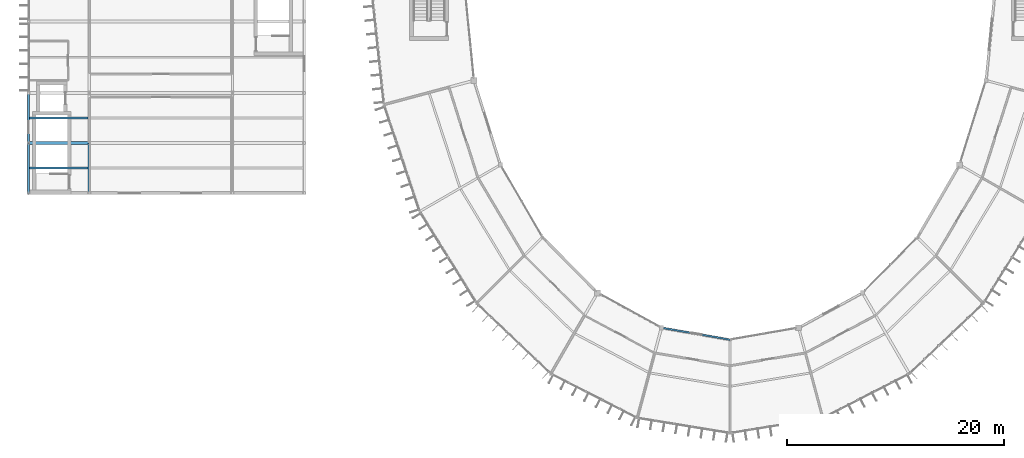
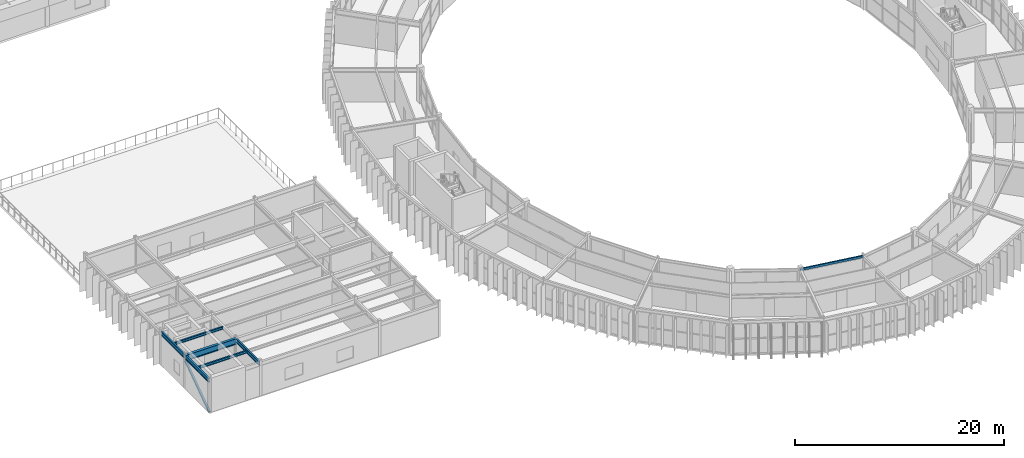
# One storey, part 28 of 130: 7 beams, 1 member.
"""IFC4 building model written with IfcOpenShell, lengths in metres."""

from ifc_helpers import new_model, si_unit, direction, frame, origin, origin_2d, place, context, subcontext, project, spatial, hollow_rectangle, i_section, extrude, material, material_profile, profile_set, type_object, element, save


model = new_model("IFC4")

# Units and contexts
model_context = context("Model", 3, precision=1e-05, world=origin(), true_north=direction((0.0, 1.0)))
body_context = subcontext(model_context, "Body", "Model", "MODEL_VIEW")
ifc_project = project(units=[si_unit("LENGTHUNIT", "METRE"), si_unit("AREAUNIT", "SQUARE_METRE"), si_unit("VOLUMEUNIT", "CUBIC_METRE"), si_unit("PLANEANGLEUNIT", "RADIAN"), si_unit("MASSUNIT", "GRAM", prefix="KILO")], contexts=[model_context])

# Site, building, storey
site_placement = place(None, origin())
site = spatial("IfcSite", under=ifc_project, at=site_placement, CompositionType="ELEMENT")
building_placement = place(site_placement, origin())
building = spatial("IfcBuilding", under=site, at=building_placement, Name="Karori Crest Natural Sciences Institute", CompositionType="ELEMENT")
storey_placement = place(building_placement, frame((0.0, 0.0, 17.5)))
storey = spatial("IfcBuildingStorey", under=building, at=storey_placement, Name="L04", CompositionType="ELEMENT", Elevation=17.5)

# Beams
ifc_material_1 = material(Name="Structural steel AS/NZS 3679.1 Grade 350", Category="steel")
ifc_material_profile_1 = material_profile(ifc_material_1, i_section(OverallWidth=0.27490234375, OverallDepth=0.699951171875, WebThickness=0.010009765625, FlangeThickness=0.02001953125, FilletRadius=0.013916015625, at=origin_2d()), Name="700WB150")
ifc_profile_set_1 = profile_set([ifc_material_profile_1], Name="Structural steel AS/NZS 3679.1 Grade 350")
beam_type_1 = type_object("IfcBeamType", Name="BT-03", PredefinedType="BEAM", material=ifc_profile_set_1)
beam_1_placement = place(storey_placement, frame((1.800048828125, 35.800048828125, 3.570068359375), z_axis=(1.0, 0.0, 0.0), x_axis=(0.0, 1.0, 0.0)))
element("IfcBeam", 1, at=beam_1_placement, inside=storey, type_object=beam_type_1, Name="Beam B-1210", PredefinedType="BEAM", context=body_context, shape_type="SweptSolid", body=[
    extrude(i_section(OverallWidth=0.27490234375, OverallDepth=0.699951171875, WebThickness=0.010009765625, FlangeThickness=0.02001953125, FilletRadius=0.013916015625, at=origin_2d()), origin(), (0.0, 0.0, 1.0), 5.599853515625),
])
ifc_material_profile_2 = material_profile(ifc_material_1, i_section(OverallWidth=0.19091796875, OverallDepth=0.4599609375, WebThickness=0.010009765625, FlangeThickness=0.01611328125, FilletRadius=0.010986328125, at=origin_2d()), Name="460UB82.1")
ifc_profile_set_2 = profile_set([ifc_material_profile_2], Name="Structural steel AS/NZS 3679.1 Grade 350")
beam_type_2 = type_object("IfcBeamType", Name="BT-06", PredefinedType="BEAM", material=ifc_profile_set_2)
beam_2_placement = place(storey_placement, frame((7.39990234375, 31.199951171875, 3.68994140625), z_axis=(0.0, 1.0, 0.0), x_axis=(-1.0, 0.0, 0.0)))
element("IfcBeam", 2, at=beam_2_placement, inside=storey, type_object=beam_type_2, Name="Beam B-1226", PredefinedType="BEAM", context=body_context, shape_type="SweptSolid", body=[
    extrude(i_section(OverallWidth=0.19091796875, OverallDepth=0.4599609375, WebThickness=0.010009765625, FlangeThickness=0.01611328125, FilletRadius=0.010986328125, at=origin_2d()), origin(), (0.0, 0.0, 1.0), 4.60009765625),
])
ifc_material_profile_3 = material_profile(ifc_material_1, i_section(OverallWidth=0.19091796875, OverallDepth=0.4599609375, WebThickness=0.010009765625, FlangeThickness=0.01611328125, FilletRadius=0.010986328125, at=origin_2d()), Name="460UB82.1")
ifc_profile_set_3 = profile_set([ifc_material_profile_3], Name="Structural steel AS/NZS 3679.1 Grade 350")
beam_type_3 = type_object("IfcBeamType", Name="BT-06-EL", PredefinedType="BEAM", material=ifc_profile_set_3)
beam_3_placement = place(storey_placement, frame((1.800048828125, 31.199951171875, 3.68994140625), z_axis=(0.0, 1.0, 0.0), x_axis=(-1.0, 0.0, 0.0)))
element("IfcBeam", 3, at=beam_3_placement, inside=storey, type_object=beam_type_3, Name="Beam B-1222", PredefinedType="BEAM", context=body_context, shape_type="SweptSolid", body=[
    extrude(i_section(OverallWidth=0.19091796875, OverallDepth=0.4599609375, WebThickness=0.010009765625, FlangeThickness=0.01611328125, FilletRadius=0.010986328125, at=origin_2d()), origin(), (0.0, 0.0, 1.0), 4.60009765625),
])
beam_4_placement = place(storey_placement, frame((1.800048828125, 35.800048828125, 3.68994140625), z_axis=(0.0, 1.0, 0.0), x_axis=(-1.0, 0.0, 0.0)))
element("IfcBeam", 4, at=beam_4_placement, inside=storey, type_object=beam_type_3, Name="Beam B-1223", PredefinedType="BEAM", context=body_context, shape_type="SweptSolid", body=[
    extrude(i_section(OverallWidth=0.19091796875, OverallDepth=0.4599609375, WebThickness=0.010009765625, FlangeThickness=0.01611328125, FilletRadius=0.010986328125, at=origin_2d()), origin(), (0.0, 0.0, 1.0), 4.599853515625),
])
ifc_material_profile_4 = material_profile(ifc_material_1, i_section(OverallWidth=0.166015625, OverallDepth=0.306884765625, WebThickness=0.006591796875, FlangeThickness=0.01171875, FilletRadius=0.010986328125, at=origin_2d()), Name="310UB46.2")
ifc_profile_set_4 = profile_set([ifc_material_profile_4], Name="Structural steel AS/NZS 3679.1 Grade 350")
beam_type_4 = type_object("IfcBeamType", Name="BT-09", PredefinedType="BEAM", material=ifc_profile_set_4)
for number, where, z_axis, x_axis, name in (
    (5, (1.8955078125, 33.5, 3.7666015625), (1.0, 0.0, 0.0), (0.0, 1.0, 0.0), "Beam B-1238"),
    (6, (1.8955078125, 38.10009765625, 3.7666015625), (1.0, 0.0, 0.0), (0.0, 1.0, 0.0), "Beam B-1239"),
):
    element("IfcBeam", number, at=place(storey_placement, frame(where, z_axis=z_axis, x_axis=x_axis)), inside=storey, type_object=beam_type_4, Name=name, PredefinedType="BEAM", context=body_context, shape_type="SweptSolid", body=[
        extrude(i_section(OverallWidth=0.166015625, OverallDepth=0.306884765625, WebThickness=0.006591796875, FlangeThickness=0.01171875, FilletRadius=0.010986328125, at=origin_2d()), origin(), (0.0, 0.0, 1.0), 5.408935546875),
    ])
ifc_material_2 = material(Name="Hollow structural steel AS/NZS 1163 Grade C350", Category="steel")
ifc_material_profile_5 = material_profile(ifc_material_2, hollow_rectangle(XDim=0.14990234375, YDim=0.25, WallThickness=0.009033203125, at=origin_2d()), Name="RHS250x150x9")
ifc_profile_set_5 = profile_set([ifc_material_profile_5], Name="Hollow structural steel AS/NZS 1163 Grade C350")
beam_type_5 = type_object("IfcBeamType", Name="BT-16", PredefinedType="SPANDREL", material=ifc_profile_set_5)
beam_5_placement = place(storey_placement, frame((60.084716796875, 18.797119140625, 3.7900390625), z_axis=(0.985241372425, -0.17117078624, 0.0), x_axis=(0.17117078624, 0.985241372425, 0.0)))
element("IfcBeam", 7, at=beam_5_placement, inside=storey, type_object=beam_type_5, Name="Beam B-0515", PredefinedType="SPANDREL", context=body_context, shape_type="SweptSolid", body=[
    extrude(hollow_rectangle(XDim=0.14990234375, YDim=0.25, WallThickness=0.009033203125, at=origin_2d()), origin(), (0.0, 0.0, 1.0), 6.40966796875),
])

# Member
ifc_material_profile_6 = material_profile(ifc_material_2, hollow_rectangle(XDim=0.199951171875, YDim=0.199951171875, WallThickness=0.010009765625, at=origin_2d()), Name="SHS200x200x10")
ifc_profile_set_6 = profile_set([ifc_material_profile_6], Name="Hollow structural steel AS/NZS 1163 Grade C350")
member_type = type_object("IfcMemberType", Name="MT-04", PredefinedType="BRACE", material=ifc_profile_set_6)
member_placement = place(storey_placement, frame((1.800048828125, 31.199951171875, 0.010009765625), z_axis=(0.0, 0.819240091074, 0.573450671965), x_axis=(-1.0, 0.0, 0.0)))
element("IfcMember", 8, at=member_placement, inside=storey, type_object=member_type, Name="Diagonal Brace M-0259", PredefinedType="BRACE", context=body_context, shape_type="SweptSolid", body=[
    extrude(hollow_rectangle(XDim=0.199951171875, YDim=0.199951171875, WallThickness=0.010009765625, at=origin_2d()), origin(), (0.0, 0.0, 1.0), 5.614990234375),
])

save(model, "model.ifc")
